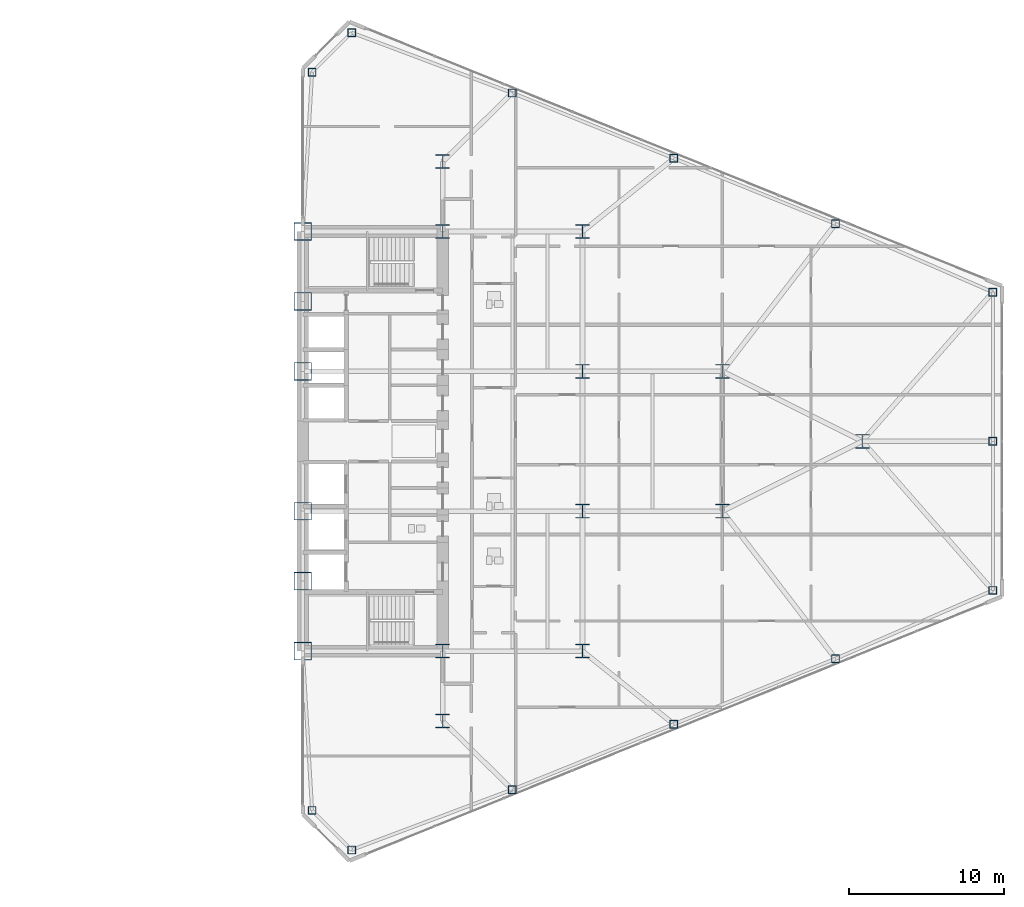
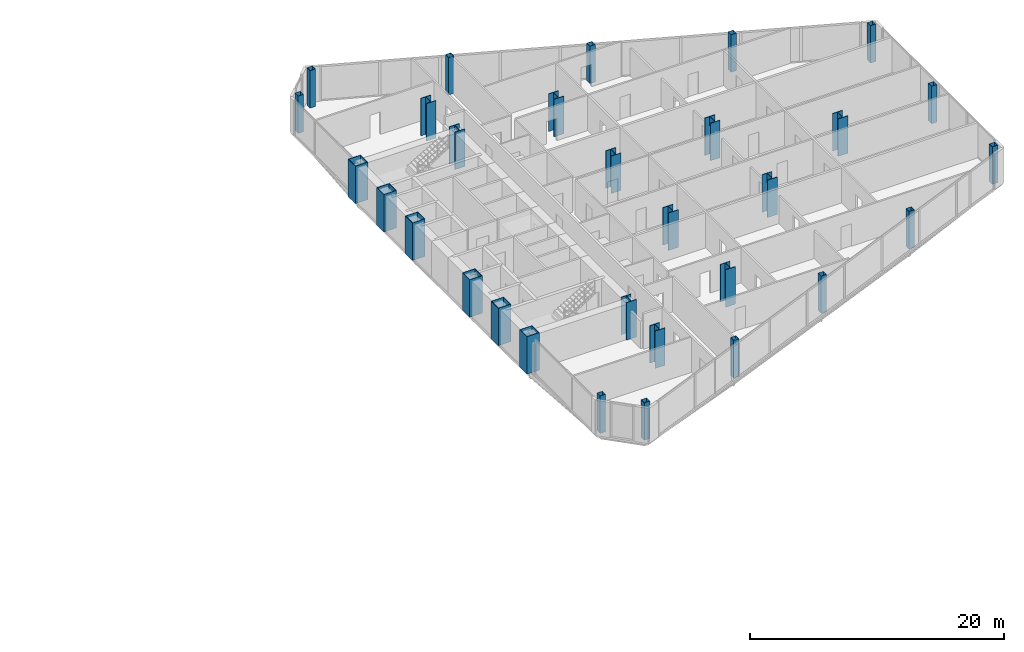
# One storey, part 2 of 25: 30 columns.
"""IFC4 building model written with IfcOpenShell, lengths in metres."""

from ifc_helpers import new_model, si_unit, direction, frame, origin, origin_2d, place, context, subcontext, project, spatial, hollow_rectangle, i_section, extrude, source, transform, mapped, material, material_profile, profile_set, type_object, type_shapes, element, save


model = new_model("IFC4")

# Units and contexts
model_context = context("Model", 3, precision=1e-05, world=origin(), true_north=direction((0.0, 1.0)))
body_context = subcontext(model_context, "Body", "Model", "MODEL_VIEW")
ifc_project = project(units=[si_unit("LENGTHUNIT", "METRE"), si_unit("AREAUNIT", "SQUARE_METRE"), si_unit("VOLUMEUNIT", "CUBIC_METRE"), si_unit("PLANEANGLEUNIT", "RADIAN"), si_unit("MASSUNIT", "GRAM", prefix="KILO")], contexts=[model_context])

# Site, building, storey
site_placement = place(None, origin())
site = spatial("IfcSite", under=ifc_project, at=site_placement, CompositionType="ELEMENT")
building_placement = place(site_placement, origin())
building = spatial("IfcBuilding", under=site, at=building_placement, Name="Seokmaru Belvedere", CompositionType="ELEMENT")
storey_placement = place(building_placement, frame((0.0, 0.0, 33.300048828125)))
storey = spatial("IfcBuildingStorey", under=building, at=storey_placement, Name="L08", CompositionType="ELEMENT", Elevation=33.300048828125)

# Columns
ifc_material_1 = material(Name="Steel HSA650 (650 MPa)", Category="steel")
ifc_material_profile_1 = material_profile(ifc_material_1, hollow_rectangle(XDim=1.14990234375, YDim=1.14990234375, WallThickness=0.048095703125, at=origin_2d()), Name="BOX-1150x1150x48")
ifc_profile_set_1 = profile_set([ifc_material_profile_1], Name="Steel HSA650 (650 MPa)")
column_type_1 = type_object("IfcColumnType", Name="Portal Spine Column BOX-1150", PredefinedType="COLUMN", material=ifc_profile_set_1)
shared_shape_1 = source(origin(), body_context, "Body", "SweptSolid", [
    extrude(hollow_rectangle(XDim=1.14990234375, YDim=1.14990234375, WallThickness=0.048095703125, at=origin_2d()), origin(), (0.0, 0.0, 1.0), 3.599853515625),
])
type_shapes(column_type_1, [shared_shape_1])
for number, where, z_axis, x_axis, name in (
    (1, (27.5, -13.5, 0.0), (0.0, 0.0, 1.0), (1.0, 0.0, 0.0), "L08 Column ES1"),
    (2, (27.5, -9.0, 0.0), (0.0, 0.0, 1.0), (1.0, 0.0, 0.0), "L08 Column ES2"),
    (3, (27.5, -4.5, 0.0), (0.0, 0.0, 1.0), (1.0, 0.0, 0.0), "L08 Column ES3"),
    (4, (27.5, 4.5, 0.0), (0.0, 0.0, 1.0), (1.0, 0.0, 0.0), "L08 Column ES4"),
    (5, (27.5, 9.0, 0.0), (0.0, 0.0, 1.0), (1.0, 0.0, 0.0), "L08 Column ES5"),
    (6, (27.5, 13.5, 0.0), (0.0, 0.0, 1.0), (1.0, 0.0, 0.0), "L08 Column ES6"),
):
    element("IfcColumn", number, at=place(storey_placement, frame(where, z_axis=z_axis, x_axis=x_axis)), inside=storey, type_object=column_type_1, Name=name, PredefinedType="COLUMN", context=body_context, shape_type="MappedRepresentation", body=[
        mapped(shared_shape_1, transform((0.0, 0.0, 0.0), scale=1.0)),
    ])
ifc_material_profile_2 = material_profile(ifc_material_1, i_section(OverallWidth=0.89990234375, OverallDepth=0.89990234375, WebThickness=0.035888671875, FlangeThickness=0.054931640625, at=origin_2d()), Name="H-900x900x36x55")
ifc_profile_set_2 = profile_set([ifc_material_profile_2], Name="Steel HSA650 (650 MPa)")
column_type_2 = type_object("IfcColumnType", Name="Lower Interior Column H-900", PredefinedType="COLUMN", material=ifc_profile_set_2)
shared_shape_2 = source(origin(), body_context, "Body", "SweptSolid", [
    extrude(i_section(OverallWidth=0.89990234375, OverallDepth=0.89990234375, WebThickness=0.035888671875, FlangeThickness=0.054931640625, at=origin_2d()), origin(), (0.0, 0.0, 1.0), 3.599853515625),
])
type_shapes(column_type_2, [shared_shape_2])
for number, where, z_axis, x_axis, name in (
    (7, (36.5, -18.0, 0.0), (0.0, 0.0, 1.0), (1.0, 0.0, 0.0), "L08 Column EC1"),
    (8, (36.5, -13.5, 0.0), (0.0, 0.0, 1.0), (1.0, 0.0, 0.0), "L08 Column EC2"),
    (9, (36.5, 13.5, 0.0), (0.0, 0.0, 1.0), (1.0, 0.0, 0.0), "L08 Column EC3"),
    (10, (36.5, 18.0, 0.0), (0.0, 0.0, 1.0), (1.0, 0.0, 0.0), "L08 Column EC4"),
    (11, (45.5, -13.5, 0.0), (0.0, 0.0, 1.0), (1.0, 0.0, 0.0), "L08 Column EG5_1"),
    (12, (45.5, -4.5, 0.0), (0.0, 0.0, 1.0), (1.0, 0.0, 0.0), "L08 Column EG5_2"),
    (13, (45.5, 4.5, 0.0), (0.0, 0.0, 1.0), (1.0, 0.0, 0.0), "L08 Column EG5_3"),
    (14, (45.5, 13.5, 0.0), (0.0, 0.0, 1.0), (1.0, 0.0, 0.0), "L08 Column EG5_4"),
    (15, (54.5, -4.5, 0.0), (0.0, 0.0, 1.0), (1.0, 0.0, 0.0), "L08 Column EG4P_1"),
    (16, (54.5, 4.5, 0.0), (0.0, 0.0, 1.0), (1.0, 0.0, 0.0), "L08 Column EG4P_2"),
    (17, (63.5, 0.0, 0.0), (0.0, 0.0, 1.0), (1.0, 0.0, 0.0), "L08 Column EG3P_1"),
):
    element("IfcColumn", number, at=place(storey_placement, frame(where, z_axis=z_axis, x_axis=x_axis)), inside=storey, type_object=column_type_2, Name=name, PredefinedType="COLUMN", context=body_context, shape_type="MappedRepresentation", body=[
        mapped(shared_shape_2, transform((0.0, 0.0, 0.0), scale=1.0)),
    ])
ifc_material_2 = material(Name="Steel SM355 (355 MPa)", Category="steel")
ifc_material_profile_3 = material_profile(ifc_material_2, hollow_rectangle(XDim=0.5, YDim=0.5, WallThickness=0.02001953125, at=origin_2d()), Name="HSS-500x500x20")
ifc_profile_set_3 = profile_set([ifc_material_profile_3], Name="Steel SM355 (355 MPa)")
column_type_3 = type_object("IfcColumnType", Name="Perimeter Facet Column HSS-500", PredefinedType="COLUMN", material=ifc_profile_set_3)
shared_shape_3 = source(origin(), body_context, "Body", "SweptSolid", [
    extrude(hollow_rectangle(XDim=0.5, YDim=0.5, WallThickness=0.02001953125, at=origin_2d()), origin(), (0.0, 0.0, 1.0), 3.599853515625),
])
type_shapes(column_type_3, [shared_shape_3])
for number, where, z_axis, x_axis, name in (
    (18, (30.643310546875, -26.294677734375, 0.0), (0.0, 0.0, 1.0), (1.0, 0.0, 0.0), "L08 Column EF1"),
    (19, (71.89990234375, -9.595703125, 0.0), (0.0, 0.0, 1.0), (1.0, 0.0, 0.0), "L08 Column EF2"),
    (20, (71.89990234375, 9.595703125, 0.0), (0.0, 0.0, 1.0), (1.0, 0.0, 0.0), "L08 Column EF3"),
    (21, (30.643310546875, 26.294677734375, 0.0), (0.0, 0.0, 1.0), (1.0, 0.0, 0.0), "L08 Column EF4"),
    (22, (28.10009765625, 23.75146484375, 0.0), (0.0, 0.0, 1.0), (1.0, 0.0, 0.0), "L08 Column EF5"),
    (23, (28.10009765625, -23.75146484375, 0.0), (0.0, 0.0, 1.0), (1.0, 0.0, 0.0), "L08 Column EF6"),
    (24, (40.977294921875, -22.4140625, 0.0), (0.0, 0.0, 1.0), (1.0, 0.0, 0.0), "L08 Column EFLK_S1"),
    (25, (51.378173828125, -18.2041015625, 0.0), (0.0, 0.0, 1.0), (1.0, 0.0, 0.0), "L08 Column EFLK_S2"),
    (26, (61.779052734375, -13.994140625, 0.0), (0.0, 0.0, 1.0), (1.0, 0.0, 0.0), "L08 Column EFLK_S3"),
    (27, (40.977294921875, 22.4140625, 0.0), (0.0, 0.0, 1.0), (1.0, 0.0, 0.0), "L08 Column EFLK_N1"),
    (28, (51.378173828125, 18.2041015625, 0.0), (0.0, 0.0, 1.0), (1.0, 0.0, 0.0), "L08 Column EFLK_N2"),
    (29, (61.779052734375, 13.994140625, 0.0), (0.0, 0.0, 1.0), (1.0, 0.0, 0.0), "L08 Column EFLK_N3"),
    (30, (71.89990234375, 0.0, 0.0), (0.0, 0.0, 1.0), (1.0, 0.0, 0.0), "L08 Column EF_APXM"),
):
    element("IfcColumn", number, at=place(storey_placement, frame(where, z_axis=z_axis, x_axis=x_axis)), inside=storey, type_object=column_type_3, Name=name, PredefinedType="COLUMN", context=body_context, shape_type="MappedRepresentation", body=[
        mapped(shared_shape_3, transform((0.0, 0.0, 0.0), scale=1.0)),
    ])

save(model, "model.ifc")
